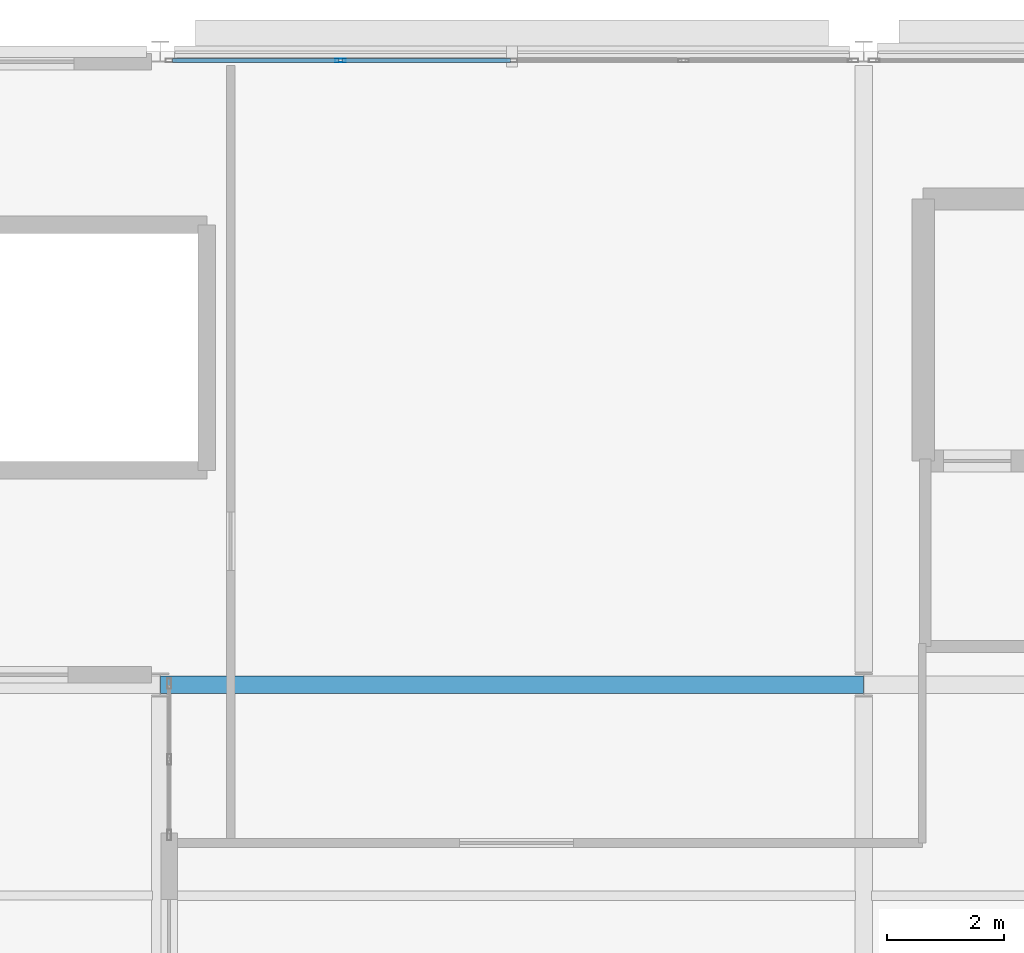
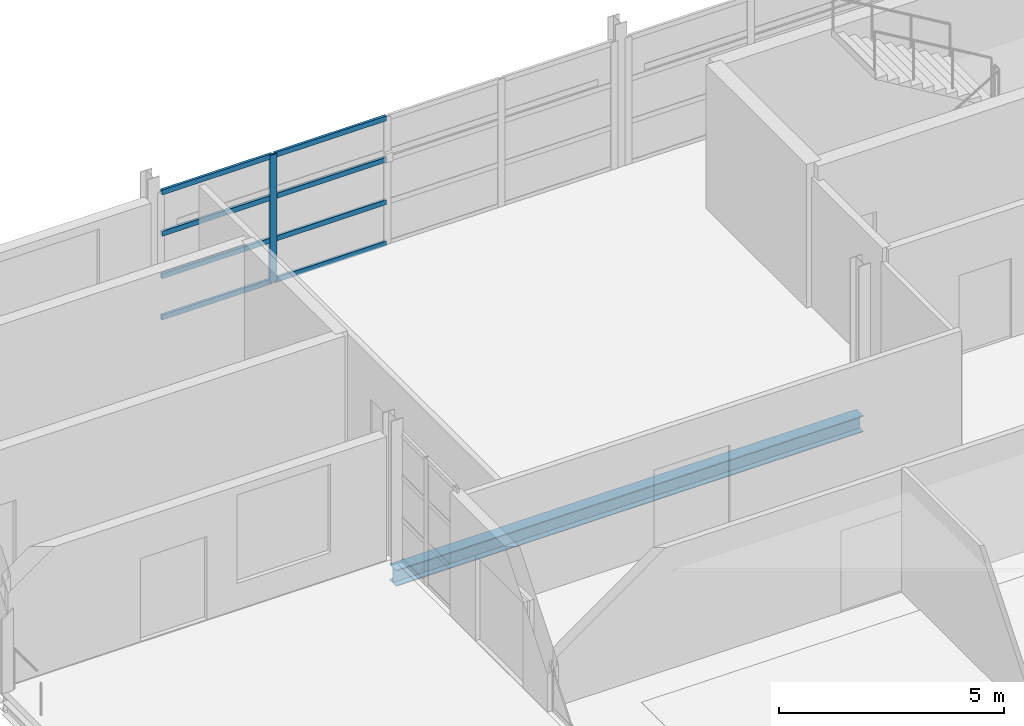
# One storey, part 17 of 33: 9 members, 1 beam, 1 element without a shape of its own.
"""IFC4 building model written with IfcOpenShell, lengths in metres."""

from ifc_helpers import new_model, si_unit, direction, frame, origin, origin_2d, place, context, subcontext, project, spatial, hollow_rectangle, i_section, extrude, material, layer, layer_set, material_profile, profile_set, type_object, element, aggregate, save


model = new_model("IFC4")

# Units and contexts
model_context = context("Model", 3, precision=1e-05, world=origin(), true_north=direction((0.0, 1.0)))
body_context = subcontext(model_context, "Body", "Model", "MODEL_VIEW")
ifc_project = project(units=[si_unit("LENGTHUNIT", "METRE"), si_unit("AREAUNIT", "SQUARE_METRE"), si_unit("VOLUMEUNIT", "CUBIC_METRE"), si_unit("PLANEANGLEUNIT", "RADIAN"), si_unit("MASSUNIT", "GRAM", prefix="KILO")], contexts=[model_context])

# Site, building, storey
site_placement = place(None, origin())
site = spatial("IfcSite", under=ifc_project, at=site_placement, CompositionType="ELEMENT")
building_placement = place(site_placement, origin())
building = spatial("IfcBuilding", under=site, at=building_placement, Name="Tamarisk Ironworks Central Station", CompositionType="ELEMENT")
storey_placement = place(building_placement, frame((0.0, 0.0, 21.300048828125)))
storey = spatial("IfcBuildingStorey", under=building, at=storey_placement, Name="L04", CompositionType="ELEMENT", Elevation=21.300048828125)

# Beam
ifc_material_1 = material(Name="Structural steel S355J2", Category="steel")
ifc_material_profile_1 = material_profile(ifc_material_1, i_section(OverallWidth=0.300048828125, OverallDepth=0.43994140625, WebThickness=0.011474609375, FlangeThickness=0.02099609375, at=origin_2d()), Name="HEA 450")
ifc_profile_set_1 = profile_set([ifc_material_profile_1], Name="Structural steel S355J2")
beam_type = type_object("IfcBeamType", Name="BM-G06", PredefinedType="BEAM", material=ifc_profile_set_1)
beam_placement = place(storey_placement, frame((128.00390625, 111.60009765625, -0.43994140625), z_axis=(1.0, 0.0, 0.0), x_axis=(0.0, 1.0, 0.0)))
element("IfcBeam", 1, at=beam_placement, inside=storey, type_object=beam_type, Name="L04 primary girder X-0721", PredefinedType="BEAM", context=body_context, shape_type="SweptSolid", body=[
    extrude(i_section(OverallWidth=0.300048828125, OverallDepth=0.43994140625, WebThickness=0.011474609375, FlangeThickness=0.02099609375, at=origin_2d()), origin(), (0.0, 0.0, 1.0), 11.9921875),
])

# Curtain wall, members
ifc_material_2 = material(Name="Anodized aluminium alloy 6063-T6", Category="aluminium")
ifc_layer = layer(ifc_material_2, 0.179931640625)
ifc_layer_set = layer_set([ifc_layer], Name="Anodized aluminium alloy 6063-T6")
curtain_wall_type = type_object("IfcCurtainWallType", Name="CW-19", PredefinedType="USERDEFINED", material=ifc_layer_set)
curtain_wall_placement = place(storey_placement, origin())
curtain_wall = element("IfcCurtainWall", 2, at=curtain_wall_placement, inside=storey, type_object=curtain_wall_type, Name="Operations L04 north facade curtain wall 128", ObjectType="GLAZED CURTAIN WALL", PredefinedType="USERDEFINED")
ifc_material_profile_2 = material_profile(ifc_material_2, hollow_rectangle(XDim=0.06494140625, YDim=0.179931640625, WallThickness=0.00390625, at=origin_2d()), Name="ALUM 180x65")
ifc_profile_set_2 = profile_set([ifc_material_profile_2], Name="Anodized aluminium alloy 6063-T6")
member_type_1 = type_object("IfcMemberType", Name="CWM-02", PredefinedType="MULLION", material=ifc_profile_set_2)
member_1_placement = place(storey_placement, frame((131.073974609375, 122.25, 0.0), z_axis=(0.0, 0.0, 1.0), x_axis=(0.0, 1.0, 0.0)))
member_1 = element("IfcMember", 3, at=member_1_placement, type_object=member_type_1, Name="CW19 mullion 2", PredefinedType="MULLION", context=body_context, shape_type="SweptSolid", body=[
    extrude(hollow_rectangle(XDim=0.06494140625, YDim=0.179931640625, WallThickness=0.00390625, at=origin_2d()), origin(), (0.0, 0.0, 1.0), 3.4599609375),
])
ifc_material_profile_3 = material_profile(ifc_material_2, hollow_rectangle(XDim=0.06494140625, YDim=0.135009765625, WallThickness=0.00341796875, at=origin_2d()), Name="ALUM 135x65")
ifc_profile_set_3 = profile_set([ifc_material_profile_3], Name="Anodized aluminium alloy 6063-T6")
member_type_2 = type_object("IfcMemberType", Name="CWT-02", PredefinedType="USERDEFINED", material=ifc_profile_set_3)
member_2_placement = place(storey_placement, frame((128.208984375, 122.25, 0.032470703125), z_axis=(1.0, 0.0, 0.0), x_axis=(0.0, 1.0, 0.0)))
member_2 = element("IfcMember", 4, at=member_2_placement, type_object=member_type_2, Name="CW19 transom 1.1", ObjectType="TRANSOM", PredefinedType="USERDEFINED", context=body_context, shape_type="SweptSolid", body=[
    extrude(hollow_rectangle(XDim=0.06494140625, YDim=0.135009765625, WallThickness=0.00341796875, at=origin_2d()), origin(), (0.0, 0.0, 1.0), 2.83642578125),
])
member_3_placement = place(storey_placement, frame((128.208984375, 122.25, 1.1533203125), z_axis=(1.0, 0.0, 0.0), x_axis=(0.0, 1.0, 0.0)))
member_3 = element("IfcMember", 5, at=member_3_placement, type_object=member_type_2, Name="CW19 transom 1.2", ObjectType="TRANSOM", PredefinedType="USERDEFINED", context=body_context, shape_type="SweptSolid", body=[
    extrude(hollow_rectangle(XDim=0.06494140625, YDim=0.135009765625, WallThickness=0.00341796875, at=origin_2d()), origin(), (0.0, 0.0, 1.0), 2.83642578125),
])
member_4_placement = place(storey_placement, frame((128.208984375, 122.25, 2.306640625), z_axis=(1.0, 0.0, 0.0), x_axis=(0.0, 1.0, 0.0)))
member_4 = element("IfcMember", 6, at=member_4_placement, type_object=member_type_2, Name="CW19 transom 1.3", ObjectType="TRANSOM", PredefinedType="USERDEFINED", context=body_context, shape_type="SweptSolid", body=[
    extrude(hollow_rectangle(XDim=0.06494140625, YDim=0.135009765625, WallThickness=0.00341796875, at=origin_2d()), origin(), (0.0, 0.0, 1.0), 2.83642578125),
])
member_5_placement = place(storey_placement, frame((128.208984375, 122.25, 3.427490234375), z_axis=(1.0, 0.0, 0.0), x_axis=(0.0, 1.0, 0.0)))
member_5 = element("IfcMember", 7, at=member_5_placement, type_object=member_type_2, Name="CW19 transom 1.4", ObjectType="TRANSOM", PredefinedType="USERDEFINED", context=body_context, shape_type="SweptSolid", body=[
    extrude(hollow_rectangle(XDim=0.06494140625, YDim=0.135009765625, WallThickness=0.00341796875, at=origin_2d()), origin(), (0.0, 0.0, 1.0), 2.83642578125),
])
member_6_placement = place(storey_placement, frame((131.1025390625, 122.25, 0.032470703125), z_axis=(1.0, 0.0, 0.0), x_axis=(0.0, 1.0, 0.0)))
member_6 = element("IfcMember", 8, at=member_6_placement, type_object=member_type_2, Name="CW19 transom 2.1", ObjectType="TRANSOM", PredefinedType="USERDEFINED", context=body_context, shape_type="SweptSolid", body=[
    extrude(hollow_rectangle(XDim=0.06494140625, YDim=0.135009765625, WallThickness=0.00341796875, at=origin_2d()), origin(), (0.0, 0.0, 1.0), 2.868896484375),
])
member_7_placement = place(storey_placement, frame((131.1025390625, 122.25, 1.1533203125), z_axis=(1.0, 0.0, 0.0), x_axis=(0.0, 1.0, 0.0)))
member_7 = element("IfcMember", 9, at=member_7_placement, type_object=member_type_2, Name="CW19 transom 2.2", ObjectType="TRANSOM", PredefinedType="USERDEFINED", context=body_context, shape_type="SweptSolid", body=[
    extrude(hollow_rectangle(XDim=0.06494140625, YDim=0.135009765625, WallThickness=0.00341796875, at=origin_2d()), origin(), (0.0, 0.0, 1.0), 2.868896484375),
])
member_8_placement = place(storey_placement, frame((131.1025390625, 122.25, 2.306640625), z_axis=(1.0, 0.0, 0.0), x_axis=(0.0, 1.0, 0.0)))
member_8 = element("IfcMember", 10, at=member_8_placement, type_object=member_type_2, Name="CW19 transom 2.3", ObjectType="TRANSOM", PredefinedType="USERDEFINED", context=body_context, shape_type="SweptSolid", body=[
    extrude(hollow_rectangle(XDim=0.06494140625, YDim=0.135009765625, WallThickness=0.00341796875, at=origin_2d()), origin(), (0.0, 0.0, 1.0), 2.868896484375),
])
member_9_placement = place(storey_placement, frame((131.1025390625, 122.25, 3.427490234375), z_axis=(1.0, 0.0, 0.0), x_axis=(0.0, 1.0, 0.0)))
member_9 = element("IfcMember", 11, at=member_9_placement, type_object=member_type_2, Name="CW19 transom 2.4", ObjectType="TRANSOM", PredefinedType="USERDEFINED", context=body_context, shape_type="SweptSolid", body=[
    extrude(hollow_rectangle(XDim=0.06494140625, YDim=0.135009765625, WallThickness=0.00341796875, at=origin_2d()), origin(), (0.0, 0.0, 1.0), 2.868896484375),
])
aggregate(curtain_wall, [member_1, member_2, member_3, member_4, member_5, member_6, member_7, member_8, member_9])

save(model, "model.ifc")
